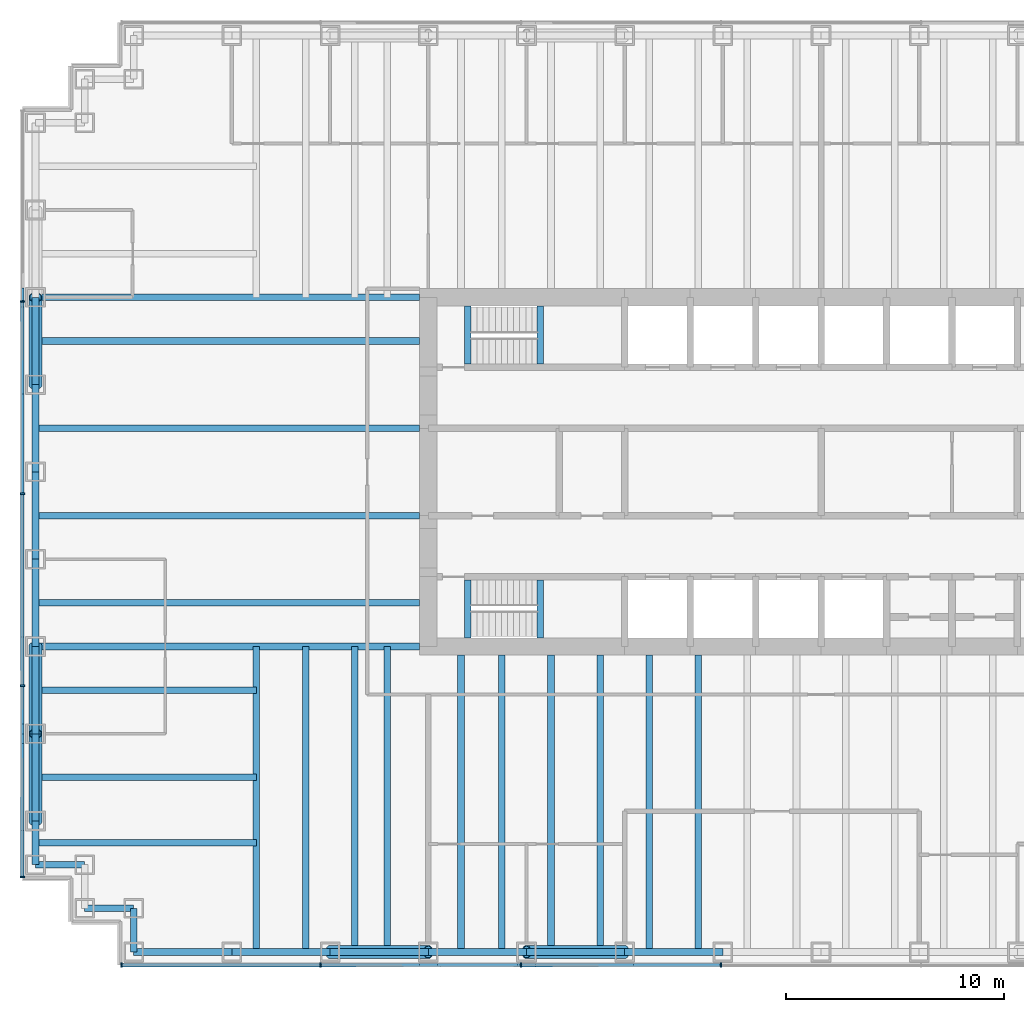
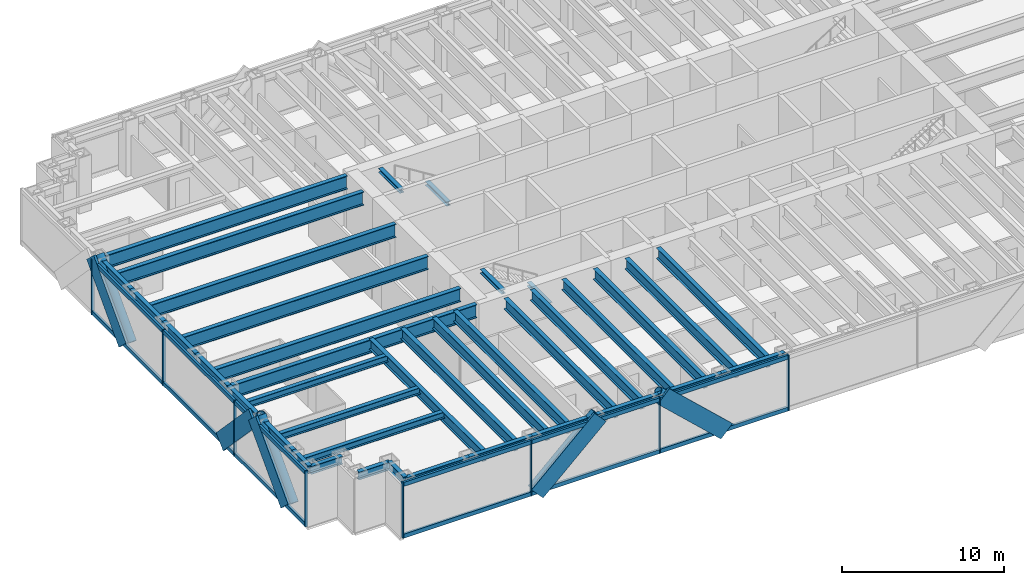
# One storey, part 2 of 17: 39 beams, 30 members, 2 elements without a shape of their own.
"""IFC4 building model written with IfcOpenShell, lengths in metres."""

from ifc_helpers import new_model, si_unit, direction, frame, origin, origin_2d, place, context, subcontext, project, spatial, rectangle, hollow_circle, i_section, extrude, material, material_profile, profile_set, type_object, element, aggregate, save


model = new_model("IFC4")

# Units and contexts
model_context = context("Model", 3, precision=1e-05, world=origin(), true_north=direction((0.0, 1.0)))
body_context = subcontext(model_context, "Body", "Model", "MODEL_VIEW")
ifc_project = project(units=[si_unit("LENGTHUNIT", "METRE"), si_unit("AREAUNIT", "SQUARE_METRE"), si_unit("VOLUMEUNIT", "CUBIC_METRE"), si_unit("PLANEANGLEUNIT", "RADIAN"), si_unit("MASSUNIT", "GRAM", prefix="KILO")], contexts=[model_context])

# Site, building, storey
site_placement = place(None, origin())
site = spatial("IfcSite", under=ifc_project, at=site_placement, CompositionType="ELEMENT")
building_placement = place(site_placement, origin())
building = spatial("IfcBuilding", under=site, at=building_placement, Name="Rheinbord Bourse Tower", CompositionType="ELEMENT")
storey_placement = place(building_placement, frame((0.0, 0.0, 223.60009765625)))
storey = spatial("IfcBuildingStorey", under=building, at=storey_placement, Name="L50", CompositionType="ELEMENT", Elevation=223.60009765625)

# Curtain wall, members
ifc_material_1 = material(Name="Dark glass and black aluminium", Category="aluminium")
curtain_wall_type = type_object("IfcCurtainWallType", Name="CW2 DARK GLASS CURTAIN WALL", PredefinedType="USERDEFINED", material=ifc_material_1)
curtain_wall_1_placement = place(storey_placement, origin())
curtain_wall_1 = element("IfcCurtainWall", 1, at=curtain_wall_1_placement, inside=storey, type_object=curtain_wall_type, Name="Curtain wall CW2 S L50", ObjectType="UNITISED CURTAIN WALL", PredefinedType="USERDEFINED")
ifc_material_2 = material(Name="Black anodised aluminium", Category="aluminium")
ifc_material_profile_1 = material_profile(ifc_material_2, rectangle(XDim=0.159912109375, YDim=1.2099609375, at=origin_2d()), Name="CW2 DIAGONAL MULLION 1210x160")
ifc_profile_set_1 = profile_set([ifc_material_profile_1], Name="Black anodised aluminium")
member_type_1 = type_object("IfcMemberType", Name="CW2 BLACK DIAGONAL MULLION", PredefinedType="USERDEFINED", material=ifc_profile_set_1)
member_1_placement = place(storey_placement, frame((27.0, 1.39990234375, 0.0), z_axis=(-0.73105922506, 0.0, 0.682314010889), x_axis=(0.0, -1.0, 0.0)))
member_1 = element("IfcMember", 2, at=member_1_placement, type_object=member_type_1, Name="CW2 diagonal mullion a", ObjectType="DIAGONAL MULLION", PredefinedType="USERDEFINED", context=body_context, shape_type="SweptSolid", body=[
    extrude(rectangle(XDim=0.159912109375, YDim=1.2099609375, at=origin_2d()), origin(), (0.0, 0.0, 1.0), 6.155517578125),
])
member_2_placement = place(storey_placement, frame((13.5, 1.39990234375, 0.0), z_axis=(0.73105922506, 0.0, 0.682314010889), x_axis=(0.0, 1.0, 0.0)))
member_2 = element("IfcMember", 3, at=member_2_placement, type_object=member_type_1, Name="CW2 diagonal mullion c", ObjectType="DIAGONAL MULLION", PredefinedType="USERDEFINED", context=body_context, shape_type="SweptSolid", body=[
    extrude(rectangle(XDim=0.159912109375, YDim=1.2099609375, at=origin_2d()), origin(), (0.0, 0.0, 1.0), 6.155517578125),
])

curtain_wall_2_placement = place(storey_placement, origin())
curtain_wall_2 = element("IfcCurtainWall", 4, at=curtain_wall_2_placement, inside=storey, type_object=curtain_wall_type, Name="Curtain wall CW2 W L50", ObjectType="UNITISED CURTAIN WALL", PredefinedType="USERDEFINED")
member_3_placement = place(storey_placement, frame((-0.60009765625, 16.0, 0.0), z_axis=(0.0, -0.689659376744, 0.724133926887), x_axis=(1.0, 0.0, 0.0)))
member_3 = element("IfcMember", 5, at=member_3_placement, type_object=member_type_1, Name="CW2 diagonal mullion a", ObjectType="DIAGONAL MULLION", PredefinedType="USERDEFINED", context=body_context, shape_type="SweptSolid", body=[
    extrude(rectangle(XDim=0.159912109375, YDim=1.2099609375, at=origin_2d()), origin(), (0.0, 0.0, 1.0), 5.800048828125),
])
member_4_placement = place(storey_placement, frame((-0.60009765625, 28.0, 0.0), z_axis=(0.0, 0.689659376744, 0.724133926887), x_axis=(-1.0, 0.0, 0.0)))
member_4 = element("IfcMember", 6, at=member_4_placement, type_object=member_type_1, Name="CW2 diagonal mullion b", ObjectType="DIAGONAL MULLION", PredefinedType="USERDEFINED", context=body_context, shape_type="SweptSolid", body=[
    extrude(rectangle(XDim=0.159912109375, YDim=1.2099609375, at=origin_2d()), origin(), (0.0, 0.0, 1.0), 5.800048828125),
])
member_5_placement = place(storey_placement, frame((-0.60009765625, 8.0, 0.0), z_axis=(0.0, 0.689659376744, 0.724133926887), x_axis=(-1.0, 0.0, 0.0)))
member_5 = element("IfcMember", 7, at=member_5_placement, type_object=member_type_1, Name="CW2 diagonal mullion c", ObjectType="DIAGONAL MULLION", PredefinedType="USERDEFINED", context=body_context, shape_type="SweptSolid", body=[
    extrude(rectangle(XDim=0.159912109375, YDim=1.2099609375, at=origin_2d()), origin(), (0.0, 0.0, 1.0), 5.800048828125),
])

# Member
ifc_material_3 = material(Name="Black anodised aluminium", Category="aluminium")
ifc_material_profile_2 = material_profile(ifc_material_3, rectangle(XDim=0.219970703125, YDim=0.070068359375, at=origin_2d()), Name="CW2 MULLION 70x220")
ifc_profile_set_2 = profile_set([ifc_material_profile_2], Name="Black anodised aluminium")
member_type_2 = type_object("IfcMemberType", Name="CW2 BLACK MULLION", PredefinedType="MULLION", material=ifc_profile_set_2)
member_6_placement = place(storey_placement, frame((3.93505859375, 1.39990234375, 0.0), z_axis=(0.0, 0.0, 1.0), x_axis=(0.0, 1.0, 0.0)))
member_6 = element("IfcMember", 8, at=member_6_placement, type_object=member_type_2, Name="CW2 mullion 1", PredefinedType="MULLION", context=body_context, shape_type="SweptSolid", body=[
    extrude(rectangle(XDim=0.219970703125, YDim=0.070068359375, at=origin_2d()), origin(), (0.0, 0.0, 1.0), 4.199951171875),
])

member_7_placement = place(storey_placement, frame((13.071533203125, 1.39990234375, 0.0), z_axis=(0.0, 0.0, 1.0), x_axis=(0.0, 1.0, 0.0)))
member_7 = element("IfcMember", 9, at=member_7_placement, type_object=member_type_2, Name="CW2 mullion 2", PredefinedType="MULLION", context=body_context, shape_type="SweptSolid", body=[
    extrude(rectangle(XDim=0.219970703125, YDim=0.070068359375, at=origin_2d()), origin(), (0.0, 0.0, 1.0), 4.199951171875),
])

member_8_placement = place(storey_placement, frame((22.242919921875, 1.39990234375, 0.0), z_axis=(0.0, 0.0, 1.0), x_axis=(0.0, 1.0, 0.0)))
member_8 = element("IfcMember", 10, at=member_8_placement, type_object=member_type_2, Name="CW2 mullion 3", PredefinedType="MULLION", context=body_context, shape_type="SweptSolid", body=[
    extrude(rectangle(XDim=0.219970703125, YDim=0.070068359375, at=origin_2d()), origin(), (0.0, 0.0, 1.0), 4.199951171875),
])

member_9_placement = place(storey_placement, frame((31.414306640625, 1.39990234375, 0.0), z_axis=(0.0, 0.0, 1.0), x_axis=(0.0, 1.0, 0.0)))
member_9 = element("IfcMember", 11, at=member_9_placement, type_object=member_type_2, Name="CW2 mullion 4", PredefinedType="MULLION", context=body_context, shape_type="SweptSolid", body=[
    extrude(rectangle(XDim=0.219970703125, YDim=0.070068359375, at=origin_2d()), origin(), (0.0, 0.0, 1.0), 4.199951171875),
])

member_10_placement = place(storey_placement, frame((-0.60009765625, 31.800048828125, 0.0), z_axis=(0.0, 0.0, 1.0), x_axis=(1.0, 0.0, 0.0)))
member_10 = element("IfcMember", 12, at=member_10_placement, type_object=member_type_2, Name="CW2 mullion 2", PredefinedType="MULLION", context=body_context, shape_type="SweptSolid", body=[
    extrude(rectangle(XDim=0.219970703125, YDim=0.070068359375, at=origin_2d()), origin(), (0.0, 0.0, 1.0), 4.199951171875),
])

member_11_placement = place(storey_placement, frame((-0.60009765625, 23.0, 0.0), z_axis=(0.0, 0.0, 1.0), x_axis=(1.0, 0.0, 0.0)))
member_11 = element("IfcMember", 13, at=member_11_placement, type_object=member_type_2, Name="CW2 mullion 3", PredefinedType="MULLION", context=body_context, shape_type="SweptSolid", body=[
    extrude(rectangle(XDim=0.219970703125, YDim=0.070068359375, at=origin_2d()), origin(), (0.0, 0.0, 1.0), 4.199951171875),
])

member_12_placement = place(storey_placement, frame((-0.60009765625, 14.199951171875, 0.0), z_axis=(0.0, 0.0, 1.0), x_axis=(1.0, 0.0, 0.0)))
member_12 = element("IfcMember", 14, at=member_12_placement, type_object=member_type_2, Name="CW2 mullion 4", PredefinedType="MULLION", context=body_context, shape_type="SweptSolid", body=[
    extrude(rectangle(XDim=0.219970703125, YDim=0.070068359375, at=origin_2d()), origin(), (0.0, 0.0, 1.0), 4.199951171875),
])

member_13_placement = place(storey_placement, frame((-0.60009765625, 5.43505859375, 0.0), z_axis=(0.0, 0.0, 1.0), x_axis=(1.0, 0.0, 0.0)))
member_13 = element("IfcMember", 15, at=member_13_placement, type_object=member_type_2, Name="CW2 mullion 5", PredefinedType="MULLION", context=body_context, shape_type="SweptSolid", body=[
    extrude(rectangle(XDim=0.219970703125, YDim=0.070068359375, at=origin_2d()), origin(), (0.0, 0.0, 1.0), 4.199951171875),
])

ifc_material_4 = material(Name="Black anodised aluminium", Category="aluminium")
ifc_material_profile_3 = material_profile(ifc_material_4, rectangle(XDim=0.159912109375, YDim=0.300048828125, at=origin_2d()), Name="CW2 TRANSOM 300x160")
ifc_profile_set_3 = profile_set([ifc_material_profile_3], Name="Black anodised aluminium")
member_type_3 = type_object("IfcMemberType", Name="CW2 BLACK TRANSOM", PredefinedType="USERDEFINED", material=ifc_profile_set_3)
member_14_placement = place(storey_placement, frame((3.969970703125, 1.39990234375, 0.14990234375), z_axis=(1.0, 0.0, 0.0), x_axis=(0.0, 1.0, 0.0)))
member_14 = element("IfcMember", 16, at=member_14_placement, type_object=member_type_3, Name="CW2 transom 1.1", ObjectType="TRANSOM", PredefinedType="USERDEFINED", context=body_context, shape_type="SweptSolid", body=[
    extrude(rectangle(XDim=0.159912109375, YDim=0.300048828125, at=origin_2d()), origin(), (0.0, 0.0, 1.0), 9.06640625),
])

member_15_placement = place(storey_placement, frame((3.969970703125, 1.39990234375, 4.0498046875), z_axis=(1.0, 0.0, 0.0), x_axis=(0.0, 1.0, 0.0)))
member_15 = element("IfcMember", 17, at=member_15_placement, type_object=member_type_3, Name="CW2 transom 1.2", ObjectType="TRANSOM", PredefinedType="USERDEFINED", context=body_context, shape_type="SweptSolid", body=[
    extrude(rectangle(XDim=0.159912109375, YDim=0.300048828125, at=origin_2d()), origin(), (0.0, 0.0, 1.0), 9.06640625),
])

member_16_placement = place(storey_placement, frame((13.1064453125, 1.39990234375, 0.14990234375), z_axis=(1.0, 0.0, 0.0), x_axis=(0.0, 1.0, 0.0)))
member_16 = element("IfcMember", 18, at=member_16_placement, type_object=member_type_3, Name="CW2 transom 2.1", ObjectType="TRANSOM", PredefinedType="USERDEFINED", context=body_context, shape_type="SweptSolid", body=[
    extrude(rectangle(XDim=0.159912109375, YDim=0.300048828125, at=origin_2d()), origin(), (0.0, 0.0, 1.0), 9.101318359375),
])

member_17_placement = place(storey_placement, frame((13.1064453125, 1.39990234375, 4.0498046875), z_axis=(1.0, 0.0, 0.0), x_axis=(0.0, 1.0, 0.0)))
member_17 = element("IfcMember", 19, at=member_17_placement, type_object=member_type_3, Name="CW2 transom 2.2", ObjectType="TRANSOM", PredefinedType="USERDEFINED", context=body_context, shape_type="SweptSolid", body=[
    extrude(rectangle(XDim=0.159912109375, YDim=0.300048828125, at=origin_2d()), origin(), (0.0, 0.0, 1.0), 9.101318359375),
])

member_18_placement = place(storey_placement, frame((22.27783203125, 1.39990234375, 0.14990234375), z_axis=(1.0, 0.0, 0.0), x_axis=(0.0, 1.0, 0.0)))
member_18 = element("IfcMember", 20, at=member_18_placement, type_object=member_type_3, Name="CW2 transom 3.1", ObjectType="TRANSOM", PredefinedType="USERDEFINED", context=body_context, shape_type="SweptSolid", body=[
    extrude(rectangle(XDim=0.159912109375, YDim=0.300048828125, at=origin_2d()), origin(), (0.0, 0.0, 1.0), 9.1015625),
])

member_19_placement = place(storey_placement, frame((22.27783203125, 1.39990234375, 4.0498046875), z_axis=(1.0, 0.0, 0.0), x_axis=(0.0, 1.0, 0.0)))
member_19 = element("IfcMember", 21, at=member_19_placement, type_object=member_type_3, Name="CW2 transom 3.2", ObjectType="TRANSOM", PredefinedType="USERDEFINED", context=body_context, shape_type="SweptSolid", body=[
    extrude(rectangle(XDim=0.159912109375, YDim=0.300048828125, at=origin_2d()), origin(), (0.0, 0.0, 1.0), 9.1015625),
])

aggregate(curtain_wall_1, [member_6, member_7, member_8, member_9, member_14, member_15, member_16, member_17, member_18, member_19, member_1, member_2])

member_20_placement = place(storey_placement, frame((-0.60009765625, 31.764892578125, 0.14990234375), z_axis=(0.0, -1.0, 0.0), x_axis=(1.0, 0.0, 0.0)))
member_20 = element("IfcMember", 22, at=member_20_placement, type_object=member_type_3, Name="CW2 transom 2.1", ObjectType="TRANSOM", PredefinedType="USERDEFINED", context=body_context, shape_type="SweptSolid", body=[
    extrude(rectangle(XDim=0.159912109375, YDim=0.300048828125, at=origin_2d()), origin(), (0.0, 0.0, 1.0), 8.72998046875),
])

member_21_placement = place(storey_placement, frame((-0.60009765625, 31.764892578125, 4.0498046875), z_axis=(0.0, -1.0, 0.0), x_axis=(1.0, 0.0, 0.0)))
member_21 = element("IfcMember", 23, at=member_21_placement, type_object=member_type_3, Name="CW2 transom 2.2", ObjectType="TRANSOM", PredefinedType="USERDEFINED", context=body_context, shape_type="SweptSolid", body=[
    extrude(rectangle(XDim=0.159912109375, YDim=0.300048828125, at=origin_2d()), origin(), (0.0, 0.0, 1.0), 8.72998046875),
])

member_22_placement = place(storey_placement, frame((-0.60009765625, 22.965087890625, 0.14990234375), z_axis=(0.0, -1.0, 0.0), x_axis=(1.0, 0.0, 0.0)))
member_22 = element("IfcMember", 24, at=member_22_placement, type_object=member_type_3, Name="CW2 transom 3.1", ObjectType="TRANSOM", PredefinedType="USERDEFINED", context=body_context, shape_type="SweptSolid", body=[
    extrude(rectangle(XDim=0.159912109375, YDim=0.300048828125, at=origin_2d()), origin(), (0.0, 0.0, 1.0), 8.72998046875),
])

member_23_placement = place(storey_placement, frame((-0.60009765625, 22.965087890625, 4.0498046875), z_axis=(0.0, -1.0, 0.0), x_axis=(1.0, 0.0, 0.0)))
member_23 = element("IfcMember", 25, at=member_23_placement, type_object=member_type_3, Name="CW2 transom 3.2", ObjectType="TRANSOM", PredefinedType="USERDEFINED", context=body_context, shape_type="SweptSolid", body=[
    extrude(rectangle(XDim=0.159912109375, YDim=0.300048828125, at=origin_2d()), origin(), (0.0, 0.0, 1.0), 8.72998046875),
])

member_24_placement = place(storey_placement, frame((-0.60009765625, 14.1650390625, 0.14990234375), z_axis=(0.0, -1.0, 0.0), x_axis=(1.0, 0.0, 0.0)))
member_24 = element("IfcMember", 26, at=member_24_placement, type_object=member_type_3, Name="CW2 transom 4.1", ObjectType="TRANSOM", PredefinedType="USERDEFINED", context=body_context, shape_type="SweptSolid", body=[
    extrude(rectangle(XDim=0.159912109375, YDim=0.300048828125, at=origin_2d()), origin(), (0.0, 0.0, 1.0), 8.695068359375),
])

member_25_placement = place(storey_placement, frame((-0.60009765625, 14.1650390625, 4.0498046875), z_axis=(0.0, -1.0, 0.0), x_axis=(1.0, 0.0, 0.0)))
member_25 = element("IfcMember", 27, at=member_25_placement, type_object=member_type_3, Name="CW2 transom 4.2", ObjectType="TRANSOM", PredefinedType="USERDEFINED", context=body_context, shape_type="SweptSolid", body=[
    extrude(rectangle(XDim=0.159912109375, YDim=0.300048828125, at=origin_2d()), origin(), (0.0, 0.0, 1.0), 8.695068359375),
])

aggregate(curtain_wall_2, [member_10, member_11, member_12, member_13, member_20, member_21, member_22, member_23, member_24, member_25, member_3, member_4, member_5])

# Beams
ifc_material_5 = material(Name="Steel S460", Category="steel")
ifc_material_profile_4 = material_profile(ifc_material_5, i_section(OverallWidth=0.302001953125, OverallDepth=1.008056640625, WebThickness=0.02099609375, FlangeThickness=0.0400390625, at=origin_2d()), Name="HEM 1000")
ifc_profile_set_4 = profile_set([ifc_material_profile_4], Name="Steel S460")
beam_type_1 = type_object("IfcBeamType", Name="END BEAM HEM 1000", PredefinedType="BEAM", material=ifc_profile_set_4)
for number, where, z_axis, x_axis, name in (
    (28, (0.0, 18.0, 3.535888671875), (1.0, 0.0, 0.0), (0.0, 1.0, 0.0), "End beam west 18 L51"),
    (29, (0.0, 22.0, 3.535888671875), (1.0, 0.0, 0.0), (0.0, 1.0, 0.0), "End beam west 22 L51"),
    (30, (0.0, 26.0, 3.535888671875), (1.0, 0.0, 0.0), (0.0, 1.0, 0.0), "End beam west 26 L51"),
    (31, (0.0, 30.0, 3.535888671875), (1.0, 0.0, 0.0), (0.0, 1.0, 0.0), "End beam west 30 L51"),
):
    element("IfcBeam", number, at=place(storey_placement, frame(where, z_axis=z_axis, x_axis=x_axis)), inside=storey, type_object=beam_type_1, Name=name, PredefinedType="BEAM", context=body_context, shape_type="SweptSolid", body=[
        extrude(i_section(OverallWidth=0.302001953125, OverallDepth=1.008056640625, WebThickness=0.02099609375, FlangeThickness=0.0400390625, at=origin_2d()), origin(), (0.0, 0.0, 1.0), 17.60009765625),
    ])
ifc_material_6 = material(Name="Steel S460", Category="steel")
ifc_material_profile_5 = material_profile(ifc_material_6, i_section(OverallWidth=0.300048828125, OverallDepth=0.800048828125, WebThickness=0.017578125, FlangeThickness=0.032958984375, at=origin_2d()), Name="HEB 800")
ifc_profile_set_5 = profile_set([ifc_material_profile_5], Name="Steel S460")
beam_type_2 = type_object("IfcBeamType", Name="FLOOR BEAM HEB 800", PredefinedType="BEAM", material=ifc_profile_set_5)
for number, where, z_axis, x_axis, name in (
    (32, (10.125, 2.0, 3.639892578125), (0.0, 1.0, 0.0), (-1.0, 0.0, 0.0), "Floor beam S-9a L51"),
    (33, (12.375, 2.0, 3.639892578125), (0.0, 1.0, 0.0), (-1.0, 0.0, 0.0), "Floor beam S-9b L51"),
    (34, (14.625, 2.0, 3.639892578125), (0.0, 1.0, 0.0), (-1.0, 0.0, 0.0), "Floor beam S-13.5a L51"),
    (35, (16.125, 2.0, 3.639892578125), (0.0, 1.0, 0.0), (-1.0, 0.0, 0.0), "Floor beam S-13.5b L51"),
):
    element("IfcBeam", number, at=place(storey_placement, frame(where, z_axis=z_axis, x_axis=x_axis)), inside=storey, type_object=beam_type_2, Name=name, PredefinedType="BEAM", context=body_context, shape_type="SweptSolid", body=[
        extrude(i_section(OverallWidth=0.300048828125, OverallDepth=0.800048828125, WebThickness=0.017578125, FlangeThickness=0.032958984375, at=origin_2d()), origin(), (0.0, 0.0, 1.0), 14.0),
    ])
for number, where, z_axis, x_axis, name in (
    (36, (19.5, 2.0, 3.639892578125), (0.0, 1.0, 0.0), (-1.0, 0.0, 0.0), "Floor beam S-18a L51"),
    (37, (21.375, 2.0, 3.639892578125), (0.0, 1.0, 0.0), (-1.0, 0.0, 0.0), "Floor beam S-18b L51"),
    (38, (23.625, 2.0, 3.639892578125), (0.0, 1.0, 0.0), (-1.0, 0.0, 0.0), "Floor beam S-22.5a L51"),
    (39, (25.875, 2.0, 3.639892578125), (0.0, 1.0, 0.0), (-1.0, 0.0, 0.0), "Floor beam S-22.5b L51"),
    (40, (28.125, 2.0, 3.639892578125), (0.0, 1.0, 0.0), (-1.0, 0.0, 0.0), "Floor beam S-27a L51"),
    (41, (30.375, 2.0, 3.639892578125), (0.0, 1.0, 0.0), (-1.0, 0.0, 0.0), "Floor beam S-27b L51"),
):
    element("IfcBeam", number, at=place(storey_placement, frame(where, z_axis=z_axis, x_axis=x_axis)), inside=storey, type_object=beam_type_2, Name=name, PredefinedType="BEAM", context=body_context, shape_type="SweptSolid", body=[
        extrude(i_section(OverallWidth=0.300048828125, OverallDepth=0.800048828125, WebThickness=0.017578125, FlangeThickness=0.032958984375, at=origin_2d()), origin(), (0.0, 0.0, 1.0), 13.60009765625),
    ])
ifc_material_7 = material(Name="Steel S460", Category="steel")
ifc_material_profile_6 = material_profile(ifc_material_7, i_section(OverallWidth=0.302001953125, OverallDepth=1.008056640625, WebThickness=0.02099609375, FlangeThickness=0.0400390625, at=origin_2d()), Name="HEM 1000")
ifc_profile_set_6 = profile_set([ifc_material_profile_6], Name="Steel S460")
beam_type_3 = type_object("IfcBeamType", Name="GIRDER HEM 1000", PredefinedType="BEAM", material=ifc_profile_set_6)
for number, where, z_axis, x_axis, name in (
    (42, (0.0, 16.0, 3.535888671875), (1.0, 0.0, 0.0), (0.0, 1.0, 0.0), "Girder west 16 L51"),
    (43, (0.0, 32.0, 3.535888671875), (1.0, 0.0, 0.0), (0.0, 1.0, 0.0), "Girder west 32 L51"),
):
    element("IfcBeam", number, at=place(storey_placement, frame(where, z_axis=z_axis, x_axis=x_axis)), inside=storey, type_object=beam_type_3, Name=name, PredefinedType="BEAM", context=body_context, shape_type="SweptSolid", body=[
        extrude(i_section(OverallWidth=0.302001953125, OverallDepth=1.008056640625, WebThickness=0.02099609375, FlangeThickness=0.0400390625, at=origin_2d()), origin(), (0.0, 0.0, 1.0), 17.60009765625),
    ])
ifc_material_8 = material(Name="Steel S460", Category="steel")
ifc_material_profile_7 = material_profile(ifc_material_8, i_section(OverallWidth=0.300048828125, OverallDepth=0.300048828125, WebThickness=0.010986328125, FlangeThickness=0.01904296875, at=origin_2d()), Name="HEB 300")
ifc_profile_set_7 = profile_set([ifc_material_profile_7], Name="Steel S460")
beam_type_4 = type_object("IfcBeamType", Name="LANDING TRIMMER HEB 300", PredefinedType="BEAM", material=ifc_profile_set_7)
for number, where, z_axis, x_axis, name in (
    (44, (23.1298828125, 16.39990234375, 1.75), (0.0, 1.0, 0.0), (-1.0, 0.0, 0.0), "Landing trimmer ST1 L50"),
    (45, (19.800048828125, 16.39990234375, 3.889892578125), (0.0, 1.0, 0.0), (-1.0, 0.0, 0.0), "Well trimmer ST1 under L51"),
    (46, (23.1298828125, 28.949951171875, 1.75), (0.0, 1.0, 0.0), (-1.0, 0.0, 0.0), "Landing trimmer ST2 L50"),
    (47, (19.800048828125, 28.949951171875, 3.889892578125), (0.0, 1.0, 0.0), (-1.0, 0.0, 0.0), "Well trimmer ST2 under L51"),
):
    element("IfcBeam", number, at=place(storey_placement, frame(where, z_axis=z_axis, x_axis=x_axis)), inside=storey, type_object=beam_type_4, Name=name, PredefinedType="BEAM", context=body_context, shape_type="SweptSolid", body=[
        extrude(i_section(OverallWidth=0.300048828125, OverallDepth=0.300048828125, WebThickness=0.010986328125, FlangeThickness=0.01904296875, at=origin_2d()), origin(), (0.0, 0.0, 1.0), 2.650146484375),
    ])

# Members
ifc_material_9 = material(Name="Steel S460", Category="steel")
ifc_material_profile_8 = material_profile(ifc_material_9, hollow_circle(Radius=0.304931640625, WallThickness=0.0400390625, at=origin_2d()), Name="CHS 610x40")
ifc_profile_set_8 = profile_set([ifc_material_profile_8], Name="Steel S460")
member_type_4 = type_object("IfcMemberType", Name="MEGABRACE CHS 610x40", PredefinedType="BRACE", material=ifc_profile_set_8)
for number, where, z_axis, x_axis, name in (
    (48, (27.0, 2.0, 0.0), (-0.73105922506, 0.0, 0.682314010889), (0.0, -1.0, 0.0), "Megabrace S face line a L50"),
    (49, (13.5, 2.0, 0.0), (0.73105922506, 0.0, 0.682314010889), (0.0, 1.0, 0.0), "Megabrace S face line c L50"),
):
    element("IfcMember", number, at=place(storey_placement, frame(where, z_axis=z_axis, x_axis=x_axis)), inside=storey, type_object=member_type_4, Name=name, PredefinedType="BRACE", context=body_context, shape_type="SweptSolid", body=[
        extrude(hollow_circle(Radius=0.304931640625, WallThickness=0.0400390625, at=origin_2d()), origin(), (0.0, 0.0, 1.0), 6.155517578125),
    ])
for number, where, z_axis, x_axis, name in (
    (50, (0.0, 16.0, 0.0), (0.0, -0.689659376744, 0.724133926887), (1.0, 0.0, 0.0), "Megabrace W face line a L50"),
    (51, (0.0, 28.0, 0.0), (0.0, 0.689659376744, 0.724133926887), (-1.0, 0.0, 0.0), "Megabrace W face line b L50"),
    (52, (0.0, 8.0, 0.0), (0.0, 0.689659376744, 0.724133926887), (-1.0, 0.0, 0.0), "Megabrace W face line c L50"),
):
    element("IfcMember", number, at=place(storey_placement, frame(where, z_axis=z_axis, x_axis=x_axis)), inside=storey, type_object=member_type_4, Name=name, PredefinedType="BRACE", context=body_context, shape_type="SweptSolid", body=[
        extrude(hollow_circle(Radius=0.304931640625, WallThickness=0.0400390625, at=origin_2d()), origin(), (0.0, 0.0, 1.0), 5.800048828125),
    ])

# Beams
ifc_material_10 = material(Name="Steel S460", Category="steel")
ifc_material_profile_9 = material_profile(ifc_material_10, i_section(OverallWidth=0.300048828125, OverallDepth=0.60009765625, WebThickness=0.015380859375, FlangeThickness=0.030029296875, at=origin_2d()), Name="HEB 600")
ifc_profile_set_9 = profile_set([ifc_material_profile_9], Name="Steel S460")
beam_type_5 = type_object("IfcBeamType", Name="SPANDREL HEB 600", PredefinedType="SPANDREL", material=ifc_profile_set_9)
for number, where, z_axis, x_axis, name in (
    (53, (4.5, 2.0, 3.739990234375), (1.0, 0.0, 0.0), (0.0, 1.0, 0.0), "Spandrel SW-E-S-9 under L51"),
    (54, (9.0, 2.0, 3.739990234375), (1.0, 0.0, 0.0), (0.0, 1.0, 0.0), "Spandrel S-9-S-13.5 under L51"),
    (55, (13.5, 2.0, 3.739990234375), (1.0, 0.0, 0.0), (0.0, 1.0, 0.0), "Spandrel S-13.5-S-18 under L51"),
    (56, (18.0, 2.0, 3.739990234375), (1.0, 0.0, 0.0), (0.0, 1.0, 0.0), "Spandrel S-18-S-22.5 under L51"),
    (57, (22.5, 2.0, 3.739990234375), (1.0, 0.0, 0.0), (0.0, 1.0, 0.0), "Spandrel S-22.5-S-27 under L51"),
    (58, (27.0, 2.0, 3.739990234375), (1.0, 0.0, 0.0), (0.0, 1.0, 0.0), "Spandrel S-27-S-31.5 under L51"),
):
    element("IfcBeam", number, at=place(storey_placement, frame(where, z_axis=z_axis, x_axis=x_axis)), inside=storey, type_object=beam_type_5, Name=name, PredefinedType="SPANDREL", context=body_context, shape_type="SweptSolid", body=[
        extrude(i_section(OverallWidth=0.300048828125, OverallDepth=0.60009765625, WebThickness=0.015380859375, FlangeThickness=0.030029296875, at=origin_2d()), origin(), (0.0, 0.0, 1.0), 4.5),
    ])
for number, where, z_axis, x_axis, name in (
    (59, (0.0, 32.0, 3.739990234375), (0.0, -1.0, 0.0), (1.0, 0.0, 0.0), "Spandrel W-32-W-28 under L51"),
    (60, (0.0, 28.0, 3.739990234375), (0.0, -1.0, 0.0), (1.0, 0.0, 0.0), "Spandrel W-28-W-24 under L51"),
    (61, (0.0, 24.0, 3.739990234375), (0.0, -1.0, 0.0), (1.0, 0.0, 0.0), "Spandrel W-24-W-20 under L51"),
    (62, (0.0, 20.0, 3.739990234375), (0.0, -1.0, 0.0), (1.0, 0.0, 0.0), "Spandrel W-20-W-16 under L51"),
    (63, (0.0, 16.0, 3.739990234375), (0.0, -1.0, 0.0), (1.0, 0.0, 0.0), "Spandrel W-16-W-12 under L51"),
    (64, (0.0, 12.0, 3.739990234375), (0.0, -1.0, 0.0), (1.0, 0.0, 0.0), "Spandrel W-12-W-8 under L51"),
):
    element("IfcBeam", number, at=place(storey_placement, frame(where, z_axis=z_axis, x_axis=x_axis)), inside=storey, type_object=beam_type_5, Name=name, PredefinedType="SPANDREL", context=body_context, shape_type="SweptSolid", body=[
        extrude(i_section(OverallWidth=0.300048828125, OverallDepth=0.60009765625, WebThickness=0.015380859375, FlangeThickness=0.030029296875, at=origin_2d()), origin(), (0.0, 0.0, 1.0), 4.0),
    ])
beam_1_placement = place(storey_placement, frame((0.0, 8.0, 3.739990234375), z_axis=(0.0, -1.0, 0.0), x_axis=(1.0, 0.0, 0.0)))
element("IfcBeam", 65, at=beam_1_placement, inside=storey, type_object=beam_type_5, Name="Spandrel W-8-SW-A under L51", PredefinedType="SPANDREL", context=body_context, shape_type="SweptSolid", body=[
    extrude(i_section(OverallWidth=0.300048828125, OverallDepth=0.60009765625, WebThickness=0.015380859375, FlangeThickness=0.030029296875, at=origin_2d()), origin(), (0.0, 0.0, 1.0), 2.0),
])
for number, where, z_axis, x_axis, name in (
    (66, (0.0, 6.0, 3.739990234375), (1.0, 0.0, 0.0), (0.0, 1.0, 0.0), "Spandrel SW-A-SW-B under L51"),
    (67, (2.25, 4.0, 3.739990234375), (1.0, 0.0, 0.0), (0.0, 1.0, 0.0), "Spandrel SW-C-SW-D under L51"),
):
    element("IfcBeam", number, at=place(storey_placement, frame(where, z_axis=z_axis, x_axis=x_axis)), inside=storey, type_object=beam_type_5, Name=name, PredefinedType="SPANDREL", context=body_context, shape_type="SweptSolid", body=[
        extrude(i_section(OverallWidth=0.300048828125, OverallDepth=0.60009765625, WebThickness=0.015380859375, FlangeThickness=0.030029296875, at=origin_2d()), origin(), (0.0, 0.0, 1.0), 2.25),
    ])
beam_2_placement = place(storey_placement, frame((4.5, 4.0, 3.739990234375), z_axis=(0.0, -1.0, 0.0), x_axis=(1.0, 0.0, 0.0)))
element("IfcBeam", 68, at=beam_2_placement, inside=storey, type_object=beam_type_5, Name="Spandrel SW-D-SW-E under L51", PredefinedType="SPANDREL", context=body_context, shape_type="SweptSolid", body=[
    extrude(i_section(OverallWidth=0.300048828125, OverallDepth=0.60009765625, WebThickness=0.015380859375, FlangeThickness=0.030029296875, at=origin_2d()), origin(), (0.0, 0.0, 1.0), 2.0),
])
ifc_material_11 = material(Name="Steel S460", Category="steel")
ifc_material_profile_10 = material_profile(ifc_material_11, i_section(OverallWidth=0.300048828125, OverallDepth=0.5, WebThickness=0.014404296875, FlangeThickness=0.028076171875, at=origin_2d()), Name="HEB 500")
ifc_profile_set_10 = profile_set([ifc_material_profile_10], Name="Steel S460")
beam_type_6 = type_object("IfcBeamType", Name="TIE BEAM HEB 500", PredefinedType="JOIST", material=ifc_profile_set_10)
for number, where, z_axis, x_axis, name in (
    (69, (0.0, 7.0, 3.789794921875), (1.0, 0.0, 0.0), (0.0, 1.0, 0.0), "Tie west 7 L51"),
    (70, (0.0, 10.0, 3.789794921875), (1.0, 0.0, 0.0), (0.0, 1.0, 0.0), "Tie west 10 L51"),
    (71, (0.0, 14.0, 3.789794921875), (1.0, 0.0, 0.0), (0.0, 1.0, 0.0), "Tie west 14 L51"),
):
    element("IfcBeam", number, at=place(storey_placement, frame(where, z_axis=z_axis, x_axis=x_axis)), inside=storey, type_object=beam_type_6, Name=name, PredefinedType="JOIST", context=body_context, shape_type="SweptSolid", body=[
        extrude(i_section(OverallWidth=0.300048828125, OverallDepth=0.5, WebThickness=0.014404296875, FlangeThickness=0.028076171875, at=origin_2d()), origin(), (0.0, 0.0, 1.0), 10.125),
    ])

save(model, "model.ifc")
